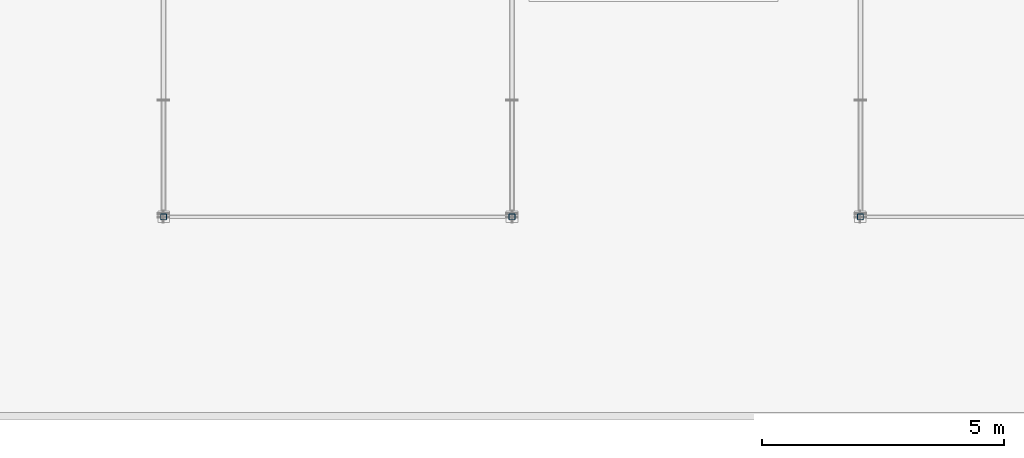
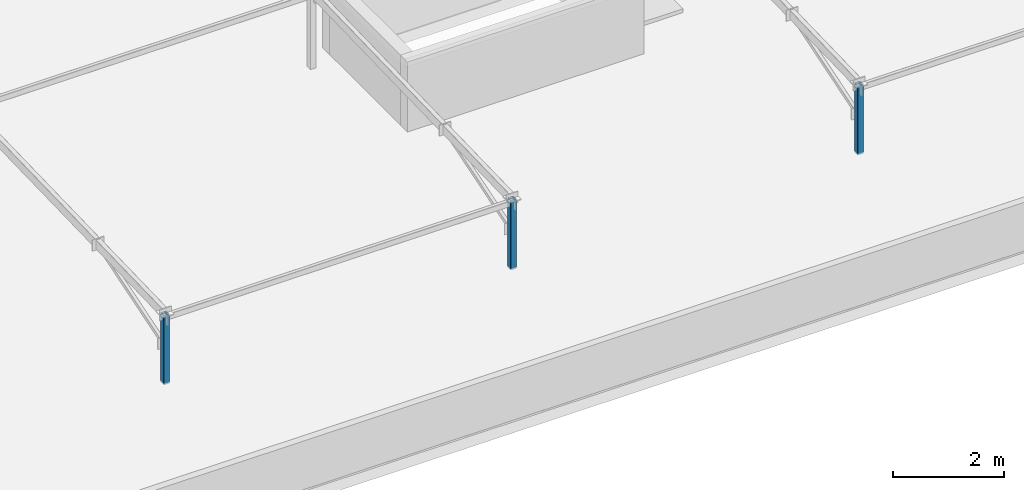
# One storey, part 1 of 43: 3 columns.
"""IFC4 building model written with IfcOpenShell, lengths in metres."""

from ifc_helpers import new_model, si_unit, direction, frame, origin, origin_2d, place, context, subcontext, project, spatial, hollow_rectangle, extrude, material, material_profile, profile_set, type_object, element, save


model = new_model("IFC4")

# Units and contexts
model_context = context("Model", 3, precision=1e-05, world=origin(), true_north=direction((0.0, 1.0)))
body_context = subcontext(model_context, "Body", "Model", "MODEL_VIEW")
ifc_project = project(units=[si_unit("LENGTHUNIT", "METRE"), si_unit("AREAUNIT", "SQUARE_METRE"), si_unit("VOLUMEUNIT", "CUBIC_METRE"), si_unit("PLANEANGLEUNIT", "RADIAN"), si_unit("MASSUNIT", "GRAM", prefix="KILO")], contexts=[model_context])

# Site, building, storey
site_placement = place(None, origin())
site = spatial("IfcSite", under=ifc_project, at=site_placement, CompositionType="ELEMENT")
building_placement = place(site_placement, origin())
building = spatial("IfcBuilding", under=site, at=building_placement, Name="Ochrevale Crest", CompositionType="ELEMENT")
storey_placement = place(building_placement, frame((0.0, 0.0, 30.75)))
storey = spatial("IfcBuildingStorey", under=building, at=storey_placement, Name="L09", CompositionType="ELEMENT", Elevation=30.75)

# Columns
ifc_material = material(Name="Steel S355", Category="steel")
ifc_material_profile = material_profile(ifc_material, hollow_rectangle(XDim=0.125, YDim=0.125, WallThickness=0.006103515625, InnerFilletRadius=0.006103515625, OuterFilletRadius=0.011962890625, at=origin_2d()), Name="125x125x6.0SHS")
ifc_profile_set = profile_set([ifc_material_profile], Name="Steel S355")
column_type = type_object("IfcColumnType", Name="COL-SHS125", PredefinedType="COLUMN", material=ifc_profile_set)
for number, where, z_axis, x_axis, name in (
    (1, (7.199951171875, 21.60009765625, 0.0), (0.0, 0.0, 1.0), (1.0, 0.0, 0.0), "Block A solar-frame support post"),
    (2, (14.39990234375, 21.60009765625, 0.0), (0.0, 0.0, 1.0), (1.0, 0.0, 0.0), "Block A solar-frame support post"),
    (3, (21.60009765625, 21.60009765625, 0.0), (0.0, 0.0, 1.0), (1.0, 0.0, 0.0), "Block A solar-frame support post"),
):
    element("IfcColumn", number, at=place(storey_placement, frame(where, z_axis=z_axis, x_axis=x_axis)), inside=storey, type_object=column_type, Name=name, PredefinedType="COLUMN", context=body_context, shape_type="SweptSolid", body=[
        extrude(hollow_rectangle(XDim=0.125, YDim=0.125, WallThickness=0.006103515625, InnerFilletRadius=0.006103515625, OuterFilletRadius=0.011962890625, at=origin_2d()), origin(), (0.0, 0.0, 1.0), 1.52001953125),
    ])

save(model, "model.ifc")
